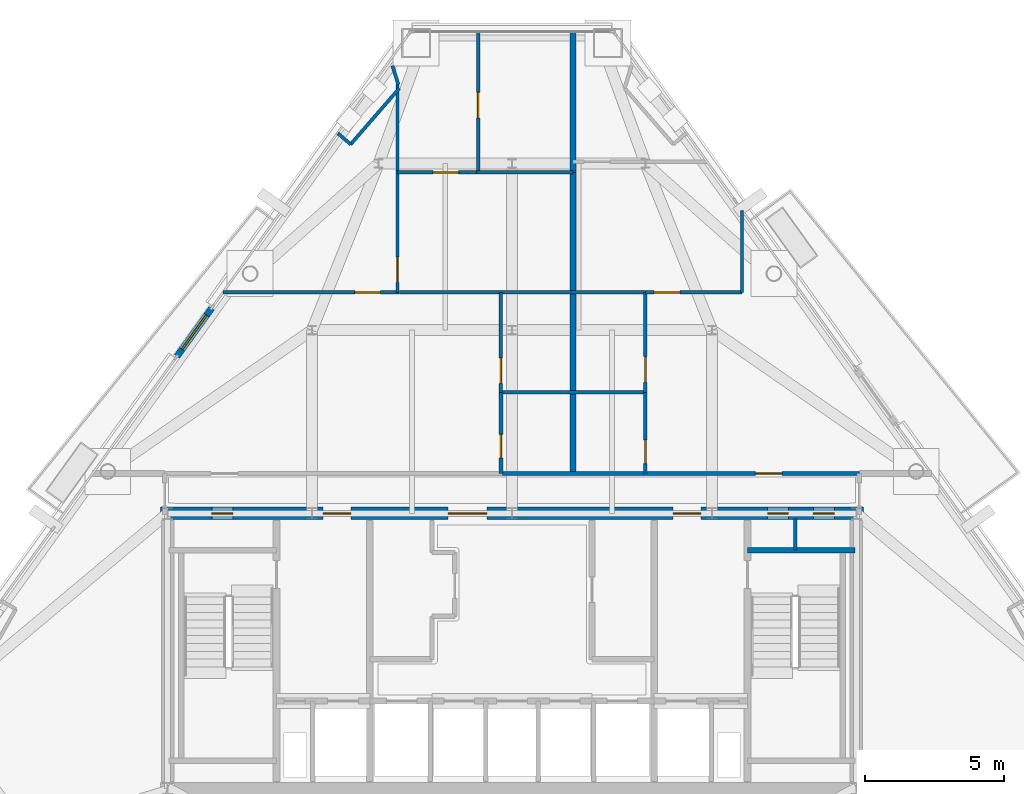
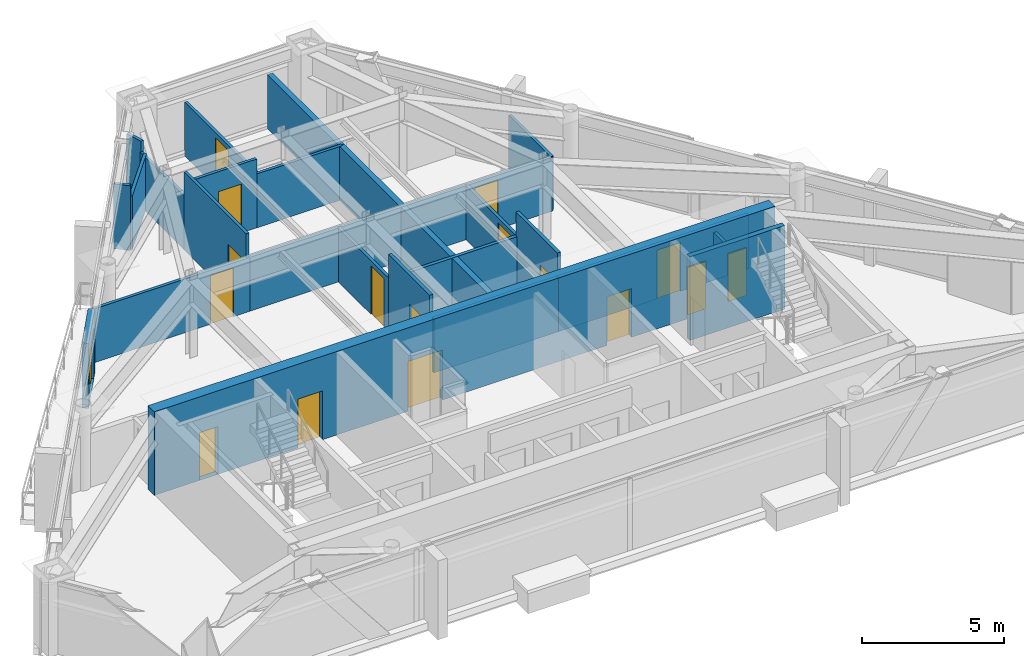
# One storey, part 8 of 11: 25 walls, 17 doors, 17 openings.
"""IFC4 building model written with IfcOpenShell, lengths in metres."""

from ifc_helpers import new_model, si_unit, direction, frame, frame_2d, origin, place, context, subcontext, project, spatial, rectangle, extrude, material, layer, layer_set, type_object, element, fill, save


model = new_model("IFC4")

# Units and contexts
model_context = context("Model", 3, precision=1e-05, world=origin(), true_north=direction((0.0, 1.0)))
body_context = subcontext(model_context, "Body", "Model", "MODEL_VIEW")
ifc_project = project(units=[si_unit("LENGTHUNIT", "METRE"), si_unit("AREAUNIT", "SQUARE_METRE"), si_unit("VOLUMEUNIT", "CUBIC_METRE"), si_unit("PLANEANGLEUNIT", "RADIAN"), si_unit("MASSUNIT", "GRAM", prefix="KILO")], contexts=[model_context])

# Site, building, storey
site_placement = place(None, origin())
site = spatial("IfcSite", under=ifc_project, at=site_placement, CompositionType="ELEMENT")
building_placement = place(site_placement, origin())
building = spatial("IfcBuilding", under=site, at=building_placement, Name="Talgorran Terracotta Tower", CompositionType="ELEMENT")
storey_placement = place(building_placement, frame((0.0, 0.0, 200.10009765625)))
storey = spatial("IfcBuildingStorey", under=building, at=storey_placement, Name="L52", CompositionType="ELEMENT", Elevation=200.10009765625)

# Wall, opening, door
ifc_material_1 = material(Name="Concrete C40/50", Category="concrete")
ifc_layer_1 = layer(ifc_material_1, 0.239990234375, Name="WT_BALCONY_SPAND")
ifc_layer_set_1 = layer_set([ifc_layer_1], Name="Concrete C40/50")
wall_type_1 = type_object("IfcWallType", Name="WT_BALCONY_SPAND", PredefinedType="STANDARD", material=ifc_layer_set_1)
wall_1_placement = place(storey_placement, frame((-10.81298828125, 3.19189453125, -0.01513671875), z_axis=(0.0, 0.0, 1.0), x_axis=(-0.583965085393, -0.811778774693, 0.0)))
wall_1 = element("IfcWall", 1, at=wall_1_placement, inside=storey, type_object=wall_type_1, Name="WL-L52-BALP-BAL-NW", PredefinedType="STANDARD", context=body_context, shape_type="SweptSolid", body=[
    extrude(rectangle(XDim=2.14013671875, YDim=0.239990234375, at=frame_2d((1.070068359375, 0.0))), origin(), (0.0, 0.0, 1.0), 2.802001953125),
])
opening_1_placement = place(wall_1_placement, frame((0.320068359375, 0.0, 0.014892578125)))
opening_1 = element("IfcOpeningElement", 2, at=opening_1_placement, cuts=wall_1, Name="Opening D-BAL-L52-2", PredefinedType="OPENING", context=body_context, shape_type="SweptSolid", body=[
    extrude(rectangle(XDim=1.506, YDim=2.203951171875, at=frame_2d((0.75, 1.10205078125))), frame((0.0, 0.1298828125, 0.0), z_axis=(0.0, -1.0, 0.0), x_axis=(1.0, 0.0, 0.0)), (0.0, 0.0, 1.0), 0.260009765625),
])
ifc_material_2 = material(Name="Thermally Broken Aluminium", Category="aluminium")
door_type_1 = type_object("IfcDoorType", Name="DT_BALC_1500", OperationType="SLIDING_TO_RIGHT", PredefinedType="DOOR", material=ifc_material_2)
door_1_placement = place(opening_1_placement, origin())
door_1 = element("IfcDoor", 3, at=door_1_placement, inside=storey, type_object=door_type_1, Name="DR-L52-BAL-BAL-NW", OperationType="SLIDING_TO_RIGHT", OverallHeight=2.199951171875, OverallWidth=1.5, PredefinedType="DOOR", context=body_context, shape_type="SweptSolid", body=[
    extrude(rectangle(XDim=1.5, YDim=2.199951171875, at=frame_2d((0.75, 1.10009765625))), frame((0.0, 0.02490234375, 0.0), z_axis=(0.0, -1.0, 0.0), x_axis=(1.0, 0.0, 0.0)), (0.0, 0.0, 1.0), 0.050048828125),
])
fill(opening_1, door_1)

# Wall
ifc_material_3 = material(Name="Concrete C50/60", Category="concrete")
ifc_layer_2 = layer(ifc_material_3, 0.199951171875, Name="WT_CORE_200")
ifc_layer_set_2 = layer_set([ifc_layer_2], Name="Concrete C50/60")
wall_type_2 = type_object("IfcWallType", Name="WT_CORE_200", PredefinedType="SOLIDWALL", material=ifc_layer_set_2)
wall_2_placement = place(storey_placement, frame((8.47998046875, -5.52001953125, 0.0), z_axis=(0.0, 0.0, 1.0), x_axis=(1.0, 0.0, 0.0)))
element("IfcWall", 4, at=wall_2_placement, inside=storey, type_object=wall_type_2, Name="WL-L52-CW-ST2-N", PredefinedType="SOLIDWALL", context=body_context, shape_type="SweptSolid", body=[
    extrude(rectangle(XDim=3.8701171875, YDim=0.199951171875, at=frame_2d((1.93505859375, 0.0))), origin(), (0.0, 0.0, 1.0), 3.599853515625),
])

# Wall, openings, doors
ifc_material_4 = material(Name="Concrete C65/80", Category="concrete")
ifc_layer_3 = layer(ifc_material_4, 0.449951171875, Name="WT_CORE_EXT")
ifc_layer_set_3 = layer_set([ifc_layer_3], Name="Concrete C65/80")
wall_type_3 = type_object("IfcWallType", Name="WT_CORE_EXT", PredefinedType="SHEAR", material=ifc_layer_set_3)
wall_3_placement = place(storey_placement, frame((-12.64990234375, -4.199951171875, 0.0), z_axis=(0.0, 0.0, 1.0), x_axis=(1.0, 0.0, 0.0)))
wall_3 = element("IfcWall", 5, at=wall_3_placement, inside=storey, type_object=wall_type_3, Name="WL-L52-CW-OUT-N", PredefinedType="SHEAR", context=body_context, shape_type="SweptSolid", body=[
    extrude(rectangle(XDim=25.2998046875, YDim=0.449951171875, at=frame_2d((12.64990234375, 0.0))), origin(), (0.0, 0.0, 1.0), 3.599853515625),
])
opening_2_placement = place(wall_3_placement, frame((1.85009765625, 0.0, 0.0)))
opening_2 = element("IfcOpeningElement", 6, at=opening_2_placement, cuts=wall_3, Name="Opening DR-CSN1", PredefinedType="OPENING", context=body_context, shape_type="SweptSolid", body=[
    extrude(rectangle(XDim=0.756, YDim=2.054048828125, at=frame_2d((0.375, 1.027099609375))), frame((0.0, 0.23486328125, 0.0), z_axis=(0.0, -1.0, 0.0), x_axis=(1.0, 0.0, 0.0)), (0.0, 0.0, 1.0), 0.469970703125),
])
opening_3_placement = place(wall_3_placement, frame((21.85009765625, 0.0, 0.0)))
opening_3 = element("IfcOpeningElement", 7, at=opening_3_placement, cuts=wall_3, Name="Opening DR-CSN2", PredefinedType="OPENING", context=body_context, shape_type="SweptSolid", body=[
    extrude(rectangle(XDim=0.756, YDim=2.054048828125, at=frame_2d((0.375, 1.027099609375))), frame((0.0, 0.23486328125, 0.0), z_axis=(0.0, -1.0, 0.0), x_axis=(1.0, 0.0, 0.0)), (0.0, 0.0, 1.0), 0.469970703125),
])
opening_4_placement = place(wall_3_placement, frame((23.5, 0.0, 0.0)))
opening_4 = element("IfcOpeningElement", 8, at=opening_4_placement, cuts=wall_3, Name="Opening DR-CSN3", PredefinedType="OPENING", context=body_context, shape_type="SweptSolid", body=[
    extrude(rectangle(XDim=0.756, YDim=2.054048828125, at=frame_2d((0.375, 1.027099609375))), frame((0.0, 0.23486328125, 0.0), z_axis=(0.0, -1.0, 0.0), x_axis=(1.0, 0.0, 0.0)), (0.0, 0.0, 1.0), 0.469970703125),
])
opening_5_placement = place(wall_3_placement, frame((5.85009765625, 0.0, 0.0)))
opening_5 = element("IfcOpeningElement", 9, at=opening_5_placement, cuts=wall_3, Name="Opening DR-FFLW-N", PredefinedType="OPENING", context=body_context, shape_type="SweptSolid", body=[
    extrude(rectangle(XDim=1.006, YDim=2.10409765625, at=frame_2d((0.5, 1.052001953125))), frame((0.0, 0.23486328125, 0.0), z_axis=(0.0, -1.0, 0.0), x_axis=(1.0, 0.0, 0.0)), (0.0, 0.0, 1.0), 0.469970703125),
])
opening_6_placement = place(wall_3_placement, frame((10.35009765625, 0.0, 0.0)))
opening_6 = element("IfcOpeningElement", 10, at=opening_6_placement, cuts=wall_3, Name="Opening DR-PLL-N", PredefinedType="OPENING", context=body_context, shape_type="SweptSolid", body=[
    extrude(rectangle(XDim=1.40590234375, YDim=2.15390234375, at=frame_2d((0.699951171875, 1.076904296875))), frame((0.0, 0.23486328125, 0.0), z_axis=(0.0, -1.0, 0.0), x_axis=(1.0, 0.0, 0.0)), (0.0, 0.0, 1.0), 0.469970703125),
])
opening_7_placement = place(wall_3_placement, frame((18.449951171875, 0.0, 0.0)))
opening_7 = element("IfcOpeningElement", 11, at=opening_7_placement, cuts=wall_3, Name="Opening DR-FFLE-N", PredefinedType="OPENING", context=body_context, shape_type="SweptSolid", body=[
    extrude(rectangle(XDim=1.006, YDim=2.10409765625, at=frame_2d((0.5, 1.052001953125))), frame((0.0, 0.23486328125, 0.0), z_axis=(0.0, -1.0, 0.0), x_axis=(1.0, 0.0, 0.0)), (0.0, 0.0, 1.0), 0.469970703125),
])
ifc_material_5 = material(Name="Acoustic Glazed Timber", Category="wood")
door_type_2 = type_object("IfcDoorType", Name="DT_DOUBLE_1400", OperationType="DOUBLE_DOOR_SINGLE_SWING", PredefinedType="DOOR", material=ifc_material_5)
door_2_placement = place(opening_6_placement, origin())
door_2 = element("IfcDoor", 12, at=door_2_placement, inside=storey, type_object=door_type_2, Name="DR-PLL-N", OperationType="DOUBLE_DOOR_SINGLE_SWING", OverallHeight=2.14990234375, OverallWidth=1.39990234375, PredefinedType="DOOR", context=body_context, shape_type="SweptSolid", body=[
    extrude(rectangle(XDim=1.39990234375, YDim=2.14990234375, at=frame_2d((0.699951171875, 1.074951171875))), frame((0.0, 0.02490234375, 0.0), z_axis=(0.0, -1.0, 0.0), x_axis=(1.0, 0.0, 0.0)), (0.0, 0.0, 1.0), 0.050048828125),
])
fill(opening_6, door_2)
ifc_material_6 = material(Name="Fire-Rated Pressed Steel", Category="steel")
door_type_3 = type_object("IfcDoorType", Name="DT_FIRE_1000", OperationType="NOTDEFINED", PredefinedType="DOOR", material=ifc_material_6)
door_3_placement = place(opening_5_placement, origin())
door_3 = element("IfcDoor", 13, at=door_3_placement, inside=storey, type_object=door_type_3, Name="DR-FFLW-N", OperationType="SINGLE_SWING_LEFT", OverallHeight=2.10009765625, OverallWidth=1.0, PredefinedType="DOOR", context=body_context, shape_type="SweptSolid", body=[
    extrude(rectangle(XDim=1.0, YDim=2.10009765625, at=frame_2d((0.5, 1.050048828125))), frame((0.0, 0.02490234375, 0.0), z_axis=(0.0, -1.0, 0.0), x_axis=(1.0, 0.0, 0.0)), (0.0, 0.0, 1.0), 0.050048828125),
])
fill(opening_5, door_3)
door_4_placement = place(opening_7_placement, origin())
door_4 = element("IfcDoor", 14, at=door_4_placement, inside=storey, type_object=door_type_3, Name="DR-FFLE-N", OperationType="SINGLE_SWING_RIGHT", OverallHeight=2.10009765625, OverallWidth=1.0, PredefinedType="DOOR", context=body_context, shape_type="SweptSolid", body=[
    extrude(rectangle(XDim=1.0, YDim=2.10009765625, at=frame_2d((0.5, 1.050048828125))), frame((0.0, 0.02490234375, 0.0), z_axis=(0.0, -1.0, 0.0), x_axis=(1.0, 0.0, 0.0)), (0.0, 0.0, 1.0), 0.050048828125),
])
fill(opening_7, door_4)
door_type_4 = type_object("IfcDoorType", Name="DT_RISER_750", OperationType="NOTDEFINED", PredefinedType="DOOR", material=ifc_material_6)
door_5_placement = place(opening_2_placement, origin())
door_5 = element("IfcDoor", 15, at=door_5_placement, inside=storey, type_object=door_type_4, Name="DR-CSN1", OperationType="SINGLE_SWING_LEFT", OverallHeight=2.050048828125, OverallWidth=0.75, PredefinedType="DOOR", context=body_context, shape_type="SweptSolid", body=[
    extrude(rectangle(XDim=0.75, YDim=2.050048828125, at=frame_2d((0.375, 1.02490234375))), frame((0.0, 0.02490234375, 0.0), z_axis=(0.0, -1.0, 0.0), x_axis=(1.0, 0.0, 0.0)), (0.0, 0.0, 1.0), 0.050048828125),
])
fill(opening_2, door_5)
door_6_placement = place(opening_3_placement, origin())
door_6 = element("IfcDoor", 16, at=door_6_placement, inside=storey, type_object=door_type_4, Name="DR-CSN2", OperationType="SINGLE_SWING_LEFT", OverallHeight=2.050048828125, OverallWidth=0.75, PredefinedType="DOOR", context=body_context, shape_type="SweptSolid", body=[
    extrude(rectangle(XDim=0.75, YDim=2.050048828125, at=frame_2d((0.375, 1.02490234375))), frame((0.0, 0.02490234375, 0.0), z_axis=(0.0, -1.0, 0.0), x_axis=(1.0, 0.0, 0.0)), (0.0, 0.0, 1.0), 0.050048828125),
])
fill(opening_3, door_6)
door_7_placement = place(opening_4_placement, origin())
door_7 = element("IfcDoor", 17, at=door_7_placement, inside=storey, type_object=door_type_4, Name="DR-CSN3", OperationType="SINGLE_SWING_RIGHT", OverallHeight=2.050048828125, OverallWidth=0.75, PredefinedType="DOOR", context=body_context, shape_type="SweptSolid", body=[
    extrude(rectangle(XDim=0.75, YDim=2.050048828125, at=frame_2d((0.375, 1.02490234375))), frame((0.0, 0.02490234375, 0.0), z_axis=(0.0, -1.0, 0.0), x_axis=(1.0, 0.0, 0.0)), (0.0, 0.0, 1.0), 0.050048828125),
])
fill(opening_4, door_7)

# Wall, opening, door
ifc_material_7 = material(Name="Fire-Rated Steel Stud Plasterboard", Category="steel")
ifc_layer_4 = layer(ifc_material_7, 0.14990234375, Name="WT_FIRE_150")
ifc_layer_set_4 = layer_set([ifc_layer_4], Name="Fire-Rated Steel Stud Plasterboard")
wall_type_4 = type_object("IfcWallType", Name="WT_FIRE_150", PredefinedType="PARTITIONING", material=ifc_layer_set_4)
wall_4_placement = place(storey_placement, frame((4.739990234375, -2.760009765625, 0.0), z_axis=(0.0, 0.0, 1.0), x_axis=(1.0, 0.0, 0.0)))
wall_4 = element("IfcWall", 18, at=wall_4_placement, inside=storey, type_object=wall_type_4, Name="WL-L52-W-L52-R06", PredefinedType="PARTITIONING", context=body_context, shape_type="SweptSolid", body=[
    extrude(rectangle(XDim=7.760009765625, YDim=0.14990234375, at=frame_2d((3.8798828125, 0.0))), origin(), (0.0, 0.0, 1.0), 2.31982421875),
])
opening_8_placement = place(wall_4_placement, frame((4.022216796875, 0.0, 0.0)))
opening_8 = element("IfcOpeningElement", 19, at=opening_8_placement, cuts=wall_4, Name="Opening DR-L52-R12", PredefinedType="OPENING", context=body_context, shape_type="SweptSolid", body=[
    extrude(rectangle(XDim=0.955951171875, YDim=2.10409765625, at=frame_2d((0.47509765625, 1.052001953125))), frame((0.0, 0.0849609375, 0.0), z_axis=(0.0, -1.0, 0.0), x_axis=(1.0, 0.0, 0.0)), (0.0, 0.0, 1.0), 0.169921875),
])
ifc_material_8 = material(Name="Fire-Rated Timber Core", Category="wood")
door_type_5 = type_object("IfcDoorType", Name="DT_FIRE_950", OperationType="NOTDEFINED", PredefinedType="DOOR", material=ifc_material_8)
door_8_placement = place(opening_8_placement, origin())
door_8 = element("IfcDoor", 20, at=door_8_placement, inside=storey, type_object=door_type_5, Name="DR-L52-R12", OperationType="SINGLE_SWING_RIGHT", OverallHeight=2.10009765625, OverallWidth=0.949951171875, PredefinedType="DOOR", context=body_context, shape_type="SweptSolid", body=[
    extrude(rectangle(XDim=0.949951171875, YDim=2.10009765625, at=frame_2d((0.47509765625, 1.050048828125))), frame((0.0, 0.02490234375, 0.0), z_axis=(0.0, -1.0, 0.0), x_axis=(1.0, 0.0, 0.0)), (0.0, 0.0, 1.0), 0.050048828125),
])
fill(opening_8, door_8)

# Walls
wall_5_placement = place(storey_placement, frame((-0.337890625, -2.760009765625, 0.0), z_axis=(0.0, 0.0, 1.0), x_axis=(1.0, 0.0, 0.0)))
element("IfcWall", 21, at=wall_5_placement, inside=storey, type_object=wall_type_4, Name="WL-L52-W-L52-R05", PredefinedType="PARTITIONING", context=body_context, shape_type="SweptSolid", body=[
    extrude(rectangle(XDim=5.075927734375, YDim=0.14990234375, at=frame_2d((2.5380859375, 0.0))), origin(), (0.0, 0.0, 1.0), 2.31982421875),
])
ifc_material_9 = material(Name="Acoustic Masonry and Plasterboard", Category="masonry")
ifc_layer_5 = layer(ifc_material_9, 0.219970703125, Name="WT_PARTY_220")
ifc_layer_set_5 = layer_set([ifc_layer_5], Name="Acoustic Masonry and Plasterboard")
wall_type_5 = type_object("IfcWallType", Name="WT_PARTY_220", PredefinedType="PARTITIONING", material=ifc_layer_set_5)
wall_6_placement = place(storey_placement, frame((2.199951171875, 8.080078125, 0.0), z_axis=(0.0, 0.0, 1.0), x_axis=(0.0, 1.0, 0.0)))
element("IfcWall", 22, at=wall_6_placement, inside=storey, type_object=wall_type_5, Name="WL-L52-W-L52-R24", PredefinedType="PARTITIONING", context=body_context, shape_type="SweptSolid", body=[
    extrude(rectangle(XDim=5.058837890625, YDim=0.219970703125, at=frame_2d((2.529296875, 0.0))), origin(), (0.0, 0.0, 1.0), 2.31982421875),
])
wall_7_placement = place(storey_placement, frame((2.199951171875, -2.760009765625, 0.0), z_axis=(0.0, 0.0, 1.0), x_axis=(0.0, 1.0, 0.0)))
element("IfcWall", 23, at=wall_7_placement, inside=storey, type_object=wall_type_5, Name="WL-L52-W-L52-R21", PredefinedType="PARTITIONING", context=body_context, shape_type="SweptSolid", body=[
    extrude(rectangle(XDim=10.840087890625, YDim=0.219970703125, at=frame_2d((5.419921875, 0.0))), origin(), (0.0, 0.0, 1.0), 2.31982421875),
])
ifc_material_10 = material(Name="Insulated Steel Stud Plasterboard", Category="steel")
ifc_layer_6 = layer(ifc_material_10, 0.1201171875, Name="WT_PART_120")
ifc_layer_set_6 = layer_set([ifc_layer_6], Name="Insulated Steel Stud Plasterboard")
wall_type_6 = type_object("IfcWallType", Name="WT_PART_120", PredefinedType="PARTITIONING", material=ifc_layer_set_6)
wall_8_placement = place(storey_placement, frame((10.199951171875, -5.52001953125, 0.0), z_axis=(0.0, 0.0, 1.0), x_axis=(0.0, 1.0, 0.0)))
element("IfcWall", 24, at=wall_8_placement, inside=storey, type_object=wall_type_6, Name="WL-L52-CW-CSE-DIV", PredefinedType="PARTITIONING", context=body_context, shape_type="SweptSolid", body=[
    extrude(rectangle(XDim=1.1201171875, YDim=0.1201171875, at=frame_2d((0.56005859375, 0.0))), origin(), (0.0, 0.0, 1.0), 3.344970703125),
])

# Wall, opening, door
wall_9_placement = place(storey_placement, frame((-10.404296875, 3.760009765625, 0.0), z_axis=(0.0, 0.0, 1.0), x_axis=(1.0, 0.0, 0.0)))
wall_9 = element("IfcWall", 25, at=wall_9_placement, inside=storey, type_object=wall_type_6, Name="WL-L52-W-L52-R15", PredefinedType="PARTITIONING", context=body_context, shape_type="SweptSolid", body=[
    extrude(rectangle(XDim=6.34423828125, YDim=0.1201171875, at=frame_2d((3.172119140625, 0.0))), origin(), (0.0, 0.0, 1.0), 2.31982421875),
])
opening_9_placement = place(wall_9_placement, frame((4.748046875, 0.0, 0.0)))
opening_9 = element("IfcOpeningElement", 26, at=opening_9_placement, cuts=wall_9, Name="Opening DR-L52-R06", PredefinedType="OPENING", context=body_context, shape_type="SweptSolid", body=[
    extrude(rectangle(XDim=0.925921875, YDim=2.10409765625, at=frame_2d((0.4599609375, 1.052001953125))), frame((0.0, 0.070068359375, 0.0), z_axis=(0.0, -1.0, 0.0), x_axis=(1.0, 0.0, 0.0)), (0.0, 0.0, 1.0), 0.14013671875),
])
ifc_material_11 = material(Name="Solid-Core Painted Timber", Category="wood")
door_type_6 = type_object("IfcDoorType", Name="DT_INT_920", OperationType="NOTDEFINED", PredefinedType="DOOR", material=ifc_material_11)
door_9_placement = place(opening_9_placement, origin())
door_9 = element("IfcDoor", 27, at=door_9_placement, inside=storey, type_object=door_type_6, Name="DR-L52-R06", OperationType="SINGLE_SWING_RIGHT", OverallHeight=2.10009765625, OverallWidth=0.919921875, PredefinedType="DOOR", context=body_context, shape_type="SweptSolid", body=[
    extrude(rectangle(XDim=0.919921875, YDim=2.10009765625, at=frame_2d((0.4599609375, 1.050048828125))), frame((0.0, 0.02490234375, 0.0), z_axis=(0.0, -1.0, 0.0), x_axis=(1.0, 0.0, 0.0)), (0.0, 0.0, 1.0), 0.050048828125),
])
fill(opening_9, door_9)

wall_10_placement = place(storey_placement, frame((-1.219970703125, 8.080078125, 0.0), z_axis=(0.0, 0.0, 1.0), x_axis=(0.0, 1.0, 0.0)))
wall_10 = element("IfcWall", 28, at=wall_10_placement, inside=storey, type_object=wall_type_6, Name="WL-L52-W-L52-R22", PredefinedType="PARTITIONING", context=body_context, shape_type="SweptSolid", body=[
    extrude(rectangle(XDim=5.058837890625, YDim=0.1201171875, at=frame_2d((2.529296875, 0.0))), origin(), (0.0, 0.0, 1.0), 2.31982421875),
])
opening_10_placement = place(wall_10_placement, frame((1.95947265625, 0.0, 0.0)))
opening_10 = element("IfcOpeningElement", 29, at=opening_10_placement, cuts=wall_10, Name="Opening DR-L52-R09", PredefinedType="OPENING", context=body_context, shape_type="SweptSolid", body=[
    extrude(rectangle(XDim=0.925921875, YDim=2.10409765625, at=frame_2d((0.4599609375, 1.052001953125))), frame((0.0, 0.070068359375, 0.0), z_axis=(0.0, -1.0, 0.0), x_axis=(1.0, 0.0, 0.0)), (0.0, 0.0, 1.0), 0.14013671875),
])
door_10_placement = place(opening_10_placement, origin())
door_10 = element("IfcDoor", 30, at=door_10_placement, inside=storey, type_object=door_type_6, Name="DR-L52-R09", OperationType="SINGLE_SWING_LEFT", OverallHeight=2.10009765625, OverallWidth=0.919921875, PredefinedType="DOOR", context=body_context, shape_type="SweptSolid", body=[
    extrude(rectangle(XDim=0.919921875, YDim=2.10009765625, at=frame_2d((0.4599609375, 1.050048828125))), frame((0.0, 0.02490234375, 0.0), z_axis=(0.0, -1.0, 0.0), x_axis=(1.0, 0.0, 0.0)), (0.0, 0.0, 1.0), 0.050048828125),
])
fill(opening_10, door_10)

wall_11_placement = place(storey_placement, frame((-4.1201171875, 3.760009765625, 0.0), z_axis=(0.0, 0.0, 1.0), x_axis=(0.0, 1.0, 0.0)))
wall_11 = element("IfcWall", 31, at=wall_11_placement, inside=storey, type_object=wall_type_6, Name="WL-L52-W-L52-R17", PredefinedType="PARTITIONING", context=body_context, shape_type="SweptSolid", body=[
    extrude(rectangle(XDim=4.3798828125, YDim=0.1201171875, at=frame_2d((2.18994140625, 0.0))), origin(), (0.0, 0.0, 1.0), 3.344970703125),
])
opening_11_placement = place(wall_11_placement, frame((0.3583984375, 0.0, 0.0)))
opening_11 = element("IfcOpeningElement", 32, at=opening_11_placement, cuts=wall_11, Name="Opening DR-L52-R07", PredefinedType="OPENING", context=body_context, shape_type="SweptSolid", body=[
    extrude(rectangle(XDim=0.925921875, YDim=2.10409765625, at=frame_2d((0.4599609375, 1.052001953125))), frame((0.0, 0.070068359375, 0.0), z_axis=(0.0, -1.0, 0.0), x_axis=(1.0, 0.0, 0.0)), (0.0, 0.0, 1.0), 0.14013671875),
])
door_11_placement = place(opening_11_placement, origin())
door_11 = element("IfcDoor", 33, at=door_11_placement, inside=storey, type_object=door_type_6, Name="DR-L52-R07", OperationType="SINGLE_SWING_LEFT", OverallHeight=2.10009765625, OverallWidth=0.919921875, PredefinedType="DOOR", context=body_context, shape_type="SweptSolid", body=[
    extrude(rectangle(XDim=0.919921875, YDim=2.10009765625, at=frame_2d((0.4599609375, 1.050048828125))), frame((0.0, 0.02490234375, 0.0), z_axis=(0.0, -1.0, 0.0), x_axis=(1.0, 0.0, 0.0)), (0.0, 0.0, 1.0), 0.050048828125),
])
fill(opening_11, door_11)

# Wall
wall_12_placement = place(storey_placement, frame((-4.05810546875, 3.760009765625, 0.0), z_axis=(0.0, 0.0, 1.0), x_axis=(1.0, 0.0, 0.0)))
element("IfcWall", 34, at=wall_12_placement, inside=storey, type_object=wall_type_6, Name="WL-L52-W-L52-R16", PredefinedType="PARTITIONING", context=body_context, shape_type="SweptSolid", body=[
    extrude(rectangle(XDim=8.858154296875, YDim=0.1201171875, at=frame_2d((4.42919921875, 0.0))), origin(), (0.0, 0.0, 1.0), 2.31982421875),
])

# Wall, opening, door
wall_13_placement = place(storey_placement, frame((-0.39990234375, 0.159912109375, 0.0), z_axis=(0.0, 0.0, 1.0), x_axis=(0.0, 1.0, 0.0)))
wall_13 = element("IfcWall", 35, at=wall_13_placement, inside=storey, type_object=wall_type_6, Name="WL-L52-W-L52-R12", PredefinedType="PARTITIONING", context=body_context, shape_type="SweptSolid", body=[
    extrude(rectangle(XDim=3.60009765625, YDim=0.1201171875, at=frame_2d((1.800048828125, 0.0))), origin(), (0.0, 0.0, 1.0), 2.31982421875),
])
opening_12_placement = place(wall_13_placement, frame((0.320068359375, 0.0, 0.0)))
opening_12 = element("IfcOpeningElement", 36, at=opening_12_placement, cuts=wall_13, Name="Opening DR-L52-R04", PredefinedType="OPENING", context=body_context, shape_type="SweptSolid", body=[
    extrude(rectangle(XDim=0.925921875, YDim=2.10409765625, at=frame_2d((0.4599609375, 1.052001953125))), frame((0.0, 0.070068359375, 0.0), z_axis=(0.0, -1.0, 0.0), x_axis=(1.0, 0.0, 0.0)), (0.0, 0.0, 1.0), 0.14013671875),
])
door_12_placement = place(opening_12_placement, origin())
door_12 = element("IfcDoor", 37, at=door_12_placement, inside=storey, type_object=door_type_6, Name="DR-L52-R04", OperationType="SINGLE_SWING_RIGHT", OverallHeight=2.10009765625, OverallWidth=0.919921875, PredefinedType="DOOR", context=body_context, shape_type="SweptSolid", body=[
    extrude(rectangle(XDim=0.919921875, YDim=2.10009765625, at=frame_2d((0.4599609375, 1.050048828125))), frame((0.0, 0.02490234375, 0.0), z_axis=(0.0, -1.0, 0.0), x_axis=(1.0, 0.0, 0.0)), (0.0, 0.0, 1.0), 0.050048828125),
])
fill(opening_12, door_12)

wall_14_placement = place(storey_placement, frame((4.800048828125, 0.159912109375, 0.0), z_axis=(0.0, 0.0, 1.0), x_axis=(0.0, 1.0, 0.0)))
wall_14 = element("IfcWall", 38, at=wall_14_placement, inside=storey, type_object=wall_type_6, Name="WL-L52-W-L52-R27", PredefinedType="PARTITIONING", context=body_context, shape_type="SweptSolid", body=[
    extrude(rectangle(XDim=3.60009765625, YDim=0.1201171875, at=frame_2d((1.800048828125, 0.0))), origin(), (0.0, 0.0, 1.0), 2.31982421875),
])
opening_13_placement = place(wall_14_placement, frame((0.360107421875, 0.0, 0.0)))
opening_13 = element("IfcOpeningElement", 39, at=opening_13_placement, cuts=wall_14, Name="Opening DR-L52-R11", PredefinedType="OPENING", context=body_context, shape_type="SweptSolid", body=[
    extrude(rectangle(XDim=0.925921875, YDim=2.10409765625, at=frame_2d((0.4599609375, 1.052001953125))), frame((0.0, 0.070068359375, 0.0), z_axis=(0.0, -1.0, 0.0), x_axis=(1.0, 0.0, 0.0)), (0.0, 0.0, 1.0), 0.14013671875),
])
door_13_placement = place(opening_13_placement, origin())
door_13 = element("IfcDoor", 40, at=door_13_placement, inside=storey, type_object=door_type_6, Name="DR-L52-R11", OperationType="SINGLE_SWING_LEFT", OverallHeight=2.10009765625, OverallWidth=0.919921875, PredefinedType="DOOR", context=body_context, shape_type="SweptSolid", body=[
    extrude(rectangle(XDim=0.919921875, YDim=2.10009765625, at=frame_2d((0.4599609375, 1.050048828125))), frame((0.0, 0.02490234375, 0.0), z_axis=(0.0, -1.0, 0.0), x_axis=(1.0, 0.0, 0.0)), (0.0, 0.0, 1.0), 0.050048828125),
])
fill(opening_13, door_13)

# Wall
wall_15_placement = place(storey_placement, frame((-1.280029296875, 8.080078125, 0.0), z_axis=(0.0, 0.0, 1.0), x_axis=(1.0, 0.0, 0.0)))
element("IfcWall", 41, at=wall_15_placement, inside=storey, type_object=wall_type_6, Name="WL-L52-W-L52-R20", PredefinedType="PARTITIONING", context=body_context, shape_type="SweptSolid", body=[
    extrude(rectangle(XDim=3.47998046875, YDim=0.1201171875, at=frame_2d((1.739990234375, 0.0))), origin(), (0.0, 0.0, 1.0), 2.31982421875),
])

# Wall, opening, door
wall_16_placement = place(storey_placement, frame((4.800048828125, 3.760009765625, 0.0), z_axis=(0.0, 0.0, 1.0), x_axis=(1.0, 0.0, 0.0)))
wall_16 = element("IfcWall", 42, at=wall_16_placement, inside=storey, type_object=wall_type_6, Name="WL-L52-W-L52-R29", PredefinedType="PARTITIONING", context=body_context, shape_type="SweptSolid", body=[
    extrude(rectangle(XDim=3.47998046875, YDim=0.1201171875, at=frame_2d((1.739990234375, 0.0))), origin(), (0.0, 0.0, 1.0), 2.31982421875),
])
opening_14_placement = place(wall_16_placement, frame((0.320068359375, 0.0, 0.0)))
opening_14 = element("IfcOpeningElement", 43, at=opening_14_placement, cuts=wall_16, Name="Opening DR-L52-R13", PredefinedType="OPENING", context=body_context, shape_type="SweptSolid", body=[
    extrude(rectangle(XDim=0.925921875, YDim=2.10409765625, at=frame_2d((0.4599609375, 1.052001953125))), frame((0.0, 0.070068359375, 0.0), z_axis=(0.0, -1.0, 0.0), x_axis=(1.0, 0.0, 0.0)), (0.0, 0.0, 1.0), 0.14013671875),
])
door_14_placement = place(opening_14_placement, origin())
door_14 = element("IfcDoor", 44, at=door_14_placement, inside=storey, type_object=door_type_6, Name="DR-L52-R13", OperationType="SINGLE_SWING_LEFT", OverallHeight=2.10009765625, OverallWidth=0.919921875, PredefinedType="DOOR", context=body_context, shape_type="SweptSolid", body=[
    extrude(rectangle(XDim=0.919921875, YDim=2.10009765625, at=frame_2d((0.4599609375, 1.050048828125))), frame((0.0, 0.02490234375, 0.0), z_axis=(0.0, -1.0, 0.0), x_axis=(1.0, 0.0, 0.0)), (0.0, 0.0, 1.0), 0.050048828125),
])
fill(opening_14, door_14)

# Wall
wall_17_placement = place(storey_placement, frame((-4.1201171875, 8.14208984375, 0.0), z_axis=(0.0, 0.0, 1.0), x_axis=(0.0, 1.0, 0.0)))
element("IfcWall", 45, at=wall_17_placement, inside=storey, type_object=wall_type_6, Name="WL-L52-W-L52-R18", PredefinedType="PARTITIONING", context=body_context, shape_type="SweptSolid", body=[
    extrude(rectangle(XDim=3.097900390625, YDim=0.1201171875, at=frame_2d((1.548828125, 0.0))), origin(), (0.0, 0.0, 1.0), 2.31982421875),
])

# Wall, opening, door
wall_18_placement = place(storey_placement, frame((-4.1201171875, 8.080078125, 0.0), z_axis=(0.0, 0.0, 1.0), x_axis=(1.0, 0.0, 0.0)))
wall_18 = element("IfcWall", 46, at=wall_18_placement, inside=storey, type_object=wall_type_6, Name="WL-L52-W-L52-R19", PredefinedType="PARTITIONING", context=body_context, shape_type="SweptSolid", body=[
    extrude(rectangle(XDim=2.838134765625, YDim=0.1201171875, at=frame_2d((1.4189453125, 0.0))), origin(), (0.0, 0.0, 1.0), 2.96435546875),
])
opening_15_placement = place(wall_18_placement, frame((1.280029296875, 0.0, 0.0)))
opening_15 = element("IfcOpeningElement", 47, at=opening_15_placement, cuts=wall_18, Name="Opening DR-L52-R08", PredefinedType="OPENING", context=body_context, shape_type="SweptSolid", body=[
    extrude(rectangle(XDim=0.925921875, YDim=2.10409765625, at=frame_2d((0.4599609375, 1.052001953125))), frame((0.0, 0.070068359375, 0.0), z_axis=(0.0, -1.0, 0.0), x_axis=(1.0, 0.0, 0.0)), (0.0, 0.0, 1.0), 0.14013671875),
])
door_15_placement = place(opening_15_placement, origin())
door_15 = element("IfcDoor", 48, at=door_15_placement, inside=storey, type_object=door_type_6, Name="DR-L52-R08", OperationType="SINGLE_SWING_RIGHT", OverallHeight=2.10009765625, OverallWidth=0.919921875, PredefinedType="DOOR", context=body_context, shape_type="SweptSolid", body=[
    extrude(rectangle(XDim=0.919921875, YDim=2.10009765625, at=frame_2d((0.4599609375, 1.050048828125))), frame((0.0, 0.02490234375, 0.0), z_axis=(0.0, -1.0, 0.0), x_axis=(1.0, 0.0, 0.0)), (0.0, 0.0, 1.0), 0.050048828125),
])
fill(opening_15, door_15)

# Walls
wall_19_placement = place(storey_placement, frame((8.280029296875, 3.760009765625, 0.0), z_axis=(0.0, 0.0, 1.0), x_axis=(0.0, 1.0, 0.0)))
element("IfcWall", 49, at=wall_19_placement, inside=storey, type_object=wall_type_6, Name="WL-L52-W-L52-R30", PredefinedType="PARTITIONING", context=body_context, shape_type="SweptSolid", body=[
    extrude(rectangle(XDim=2.952880859375, YDim=0.1201171875, at=frame_2d((1.4765625, 0.0))), origin(), (0.0, 0.0, 1.0), 2.31982421875),
])
wall_20_placement = place(storey_placement, frame((-4.05126953125, 11.11181640625, 0.0), z_axis=(0.0, 0.0, 1.0), x_axis=(-0.655668890294, -0.755048545658, 0.0)))
element("IfcWall", 50, at=wall_20_placement, inside=storey, type_object=wall_type_6, Name="WL-L52-BW-L52-15", PredefinedType="PARTITIONING", context=body_context, shape_type="SweptSolid", body=[
    extrude(rectangle(XDim=2.68017578125, YDim=0.1201171875, at=frame_2d((1.340087890625, 0.0))), origin(), (0.0, 0.0, 1.0), 2.31982421875),
])
wall_21_placement = place(storey_placement, frame((-4.302978515625, 11.91650390625, 0.0), z_axis=(0.0, 0.0, 1.0), x_axis=(0.298452005803, -0.954424643559, 0.0)))
element("IfcWall", 51, at=wall_21_placement, inside=storey, type_object=wall_type_6, Name="WL-L52-BW-L52-14", PredefinedType="PARTITIONING", context=body_context, shape_type="SweptSolid", body=[
    extrude(rectangle(XDim=0.706787109375, YDim=0.1201171875, at=frame_2d((0.353515625, 0.0))), origin(), (0.0, 0.0, 1.0), 2.786865234375),
])
wall_22_placement = place(storey_placement, frame((-5.80859375, 9.088134765625, 0.0), z_axis=(0.0, 0.0, 1.0), x_axis=(-0.755241099501, 0.655447085297, 0.0)))
element("IfcWall", 52, at=wall_22_placement, inside=storey, type_object=wall_type_6, Name="WL-L52-BW-L52-16", PredefinedType="PARTITIONING", context=body_context, shape_type="SweptSolid", body=[
    extrude(rectangle(XDim=0.611572265625, YDim=0.1201171875, at=frame_2d((0.3056640625, 0.0))), origin(), (0.0, 0.0, 1.0), 2.786865234375),
])

# Wall, opening, door
ifc_material_12 = material(Name="Moisture-Resistant Stud Wall")
ifc_layer_7 = layer(ifc_material_12, 0.135009765625, Name="WT_PART_135")
ifc_layer_set_7 = layer_set([ifc_layer_7], Name="Moisture-Resistant Stud Wall")
wall_type_7 = type_object("IfcWallType", Name="WT_PART_135", PredefinedType="PARTITIONING", material=ifc_layer_set_7)
wall_23_placement = place(storey_placement, frame((-0.39990234375, -2.760009765625, 0.0), z_axis=(0.0, 0.0, 1.0), x_axis=(0.0, 1.0, 0.0)))
wall_23 = element("IfcWall", 53, at=wall_23_placement, inside=storey, type_object=wall_type_7, Name="WL-L52-W-L52-R10", PredefinedType="PARTITIONING", context=body_context, shape_type="SweptSolid", body=[
    extrude(rectangle(XDim=2.919921875, YDim=0.135009765625, at=frame_2d((1.4599609375, 0.0))), origin(), (0.0, 0.0, 1.0), 3.344970703125),
])
opening_16_placement = place(wall_23_placement, frame((0.5576171875, 0.0, 0.0)))
opening_16 = element("IfcOpeningElement", 54, at=opening_16_placement, cuts=wall_23, Name="Opening DR-L52-R03", PredefinedType="OPENING", context=body_context, shape_type="SweptSolid", body=[
    extrude(rectangle(XDim=0.85609765625, YDim=2.10409765625, at=frame_2d((0.425048828125, 1.052001953125))), frame((0.0, 0.07763671875, 0.0), z_axis=(0.0, -1.0, 0.0), x_axis=(1.0, 0.0, 0.0)), (0.0, 0.0, 1.0), 0.155029296875),
])
ifc_material_13 = material(Name="Moisture-Resistant Solid Timber", Category="wood")
door_type_7 = type_object("IfcDoorType", Name="DT_INT_850", OperationType="NOTDEFINED", PredefinedType="DOOR", material=ifc_material_13)
door_16_placement = place(opening_16_placement, origin())
door_16 = element("IfcDoor", 55, at=door_16_placement, inside=storey, type_object=door_type_7, Name="DR-L52-R03", OperationType="SINGLE_SWING_LEFT", OverallHeight=2.10009765625, OverallWidth=0.85009765625, PredefinedType="DOOR", context=body_context, shape_type="SweptSolid", body=[
    extrude(rectangle(XDim=0.85009765625, YDim=2.10009765625, at=frame_2d((0.425048828125, 1.050048828125))), frame((0.0, 0.02490234375, 0.0), z_axis=(0.0, -1.0, 0.0), x_axis=(1.0, 0.0, 0.0)), (0.0, 0.0, 1.0), 0.050048828125),
])
fill(opening_16, door_16)

wall_24_placement = place(storey_placement, frame((4.800048828125, -2.760009765625, 0.0), z_axis=(0.0, 0.0, 1.0), x_axis=(0.0, 1.0, 0.0)))
wall_24 = element("IfcWall", 56, at=wall_24_placement, inside=storey, type_object=wall_type_7, Name="WL-L52-W-L52-R26", PredefinedType="PARTITIONING", context=body_context, shape_type="SweptSolid", body=[
    extrude(rectangle(XDim=2.919921875, YDim=0.135009765625, at=frame_2d((1.4599609375, 0.0))), origin(), (0.0, 0.0, 1.0), 3.344970703125),
])
opening_17_placement = place(wall_24_placement, frame((0.358642578125, 0.0, 0.0)))
opening_17 = element("IfcOpeningElement", 57, at=opening_17_placement, cuts=wall_24, Name="Opening DR-L52-R10", PredefinedType="OPENING", context=body_context, shape_type="SweptSolid", body=[
    extrude(rectangle(XDim=0.85609765625, YDim=2.10409765625, at=frame_2d((0.425048828125, 1.052001953125))), frame((0.0, 0.07763671875, 0.0), z_axis=(0.0, -1.0, 0.0), x_axis=(1.0, 0.0, 0.0)), (0.0, 0.0, 1.0), 0.155029296875),
])
door_17_placement = place(opening_17_placement, origin())
door_17 = element("IfcDoor", 58, at=door_17_placement, inside=storey, type_object=door_type_7, Name="DR-L52-R10", OperationType="SINGLE_SWING_RIGHT", OverallHeight=2.10009765625, OverallWidth=0.85009765625, PredefinedType="DOOR", context=body_context, shape_type="SweptSolid", body=[
    extrude(rectangle(XDim=0.85009765625, YDim=2.10009765625, at=frame_2d((0.425048828125, 1.050048828125))), frame((0.0, 0.02490234375, 0.0), z_axis=(0.0, -1.0, 0.0), x_axis=(1.0, 0.0, 0.0)), (0.0, 0.0, 1.0), 0.050048828125),
])
fill(opening_17, door_17)

# Wall
wall_25_placement = place(storey_placement, frame((-0.39990234375, 0.159912109375, 0.0), z_axis=(0.0, 0.0, 1.0), x_axis=(1.0, 0.0, 0.0)))
element("IfcWall", 59, at=wall_25_placement, inside=storey, type_object=wall_type_7, Name="WL-L52-W-L52-R09", PredefinedType="PARTITIONING", context=body_context, shape_type="SweptSolid", body=[
    extrude(rectangle(XDim=5.199951171875, YDim=0.135009765625, at=frame_2d((2.60009765625, 0.0))), origin(), (0.0, 0.0, 1.0), 2.31982421875),
])

save(model, "model.ifc")
